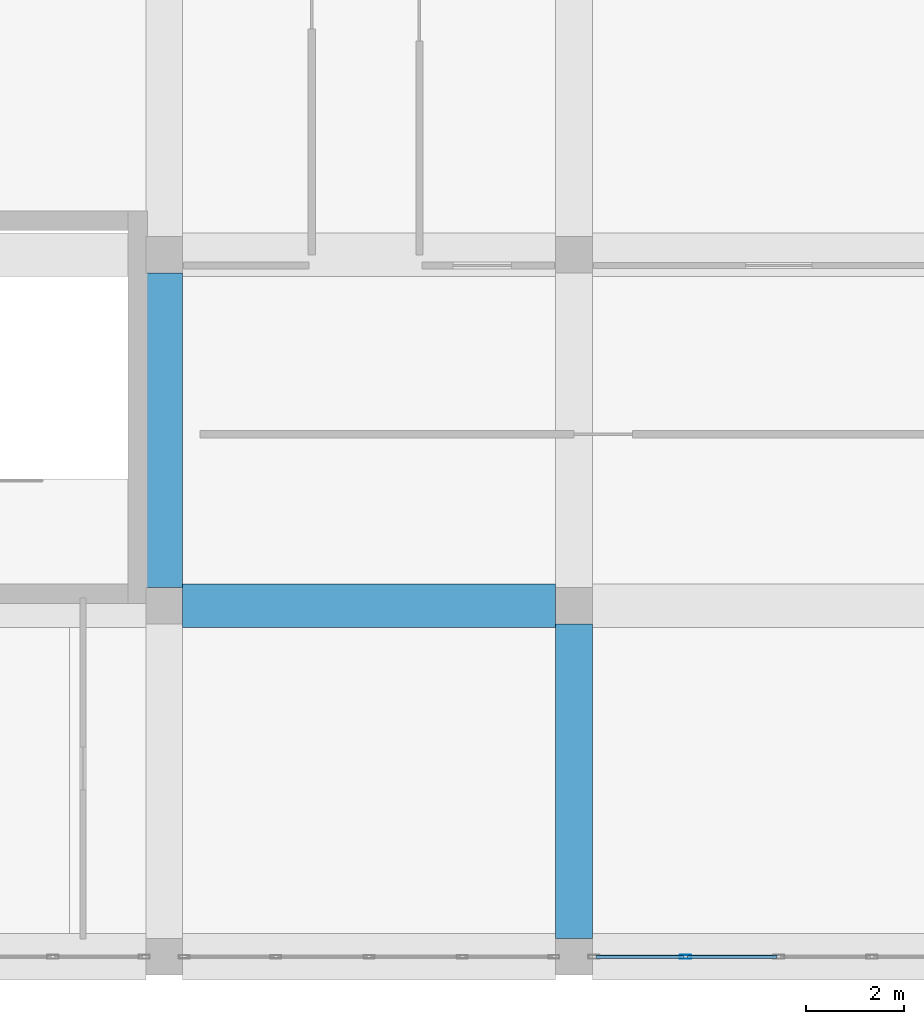
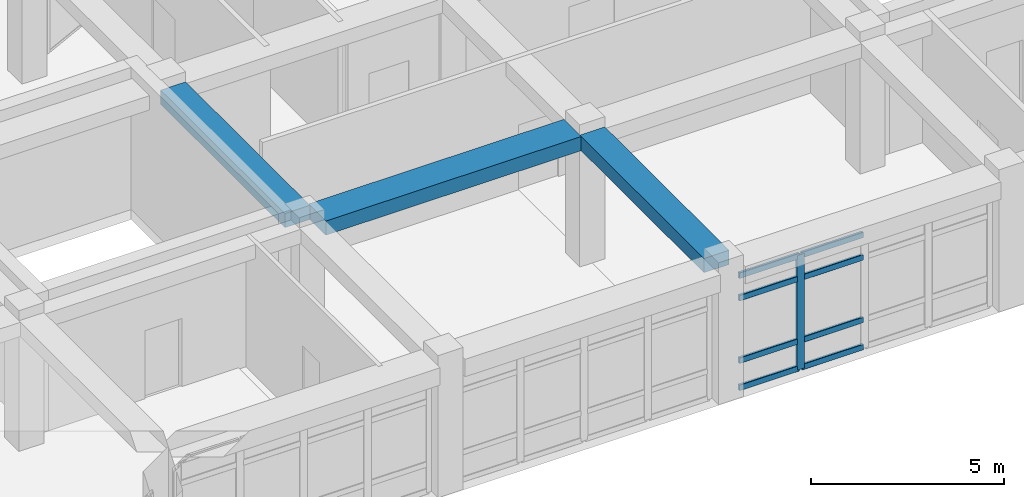
# One storey, part 18 of 121: 9 members, 3 beams, 1 element without a shape of its own.
"""IFC4 building model written with IfcOpenShell, lengths in metres."""

import ifcopenshell
import ifcopenshell.guid

model = None  # the IFC model being written
_history = None  # IfcOwnerHistory: only IFC2X3 demands one
_inside = {}  # id of a spatial element -> (the spatial element, [elements in it])
_under = {}  # id of a project, library or spatial element -> (it, [spatial elements below it])
_declared = {}  # id of a project -> (the project, [libraries it declares])
_typed = {}  # id of a type object -> (the type object, [elements of that type])
_made_of = {}  # id of a material, layer set ... -> (it, [elements and type objects made of it])


def new_model(schema):
    """Start an empty IFC model of exactly this schema.

    Asked for "IFC4X3", IfcOpenShell would pick the latest addendum, in which some entities
    have other attributes; the version numbers below select the first issue.
    IFC2X3 requires an IfcOwnerHistory on every rooted entity: one is made here for all.
    """
    global model, _history
    if schema == "IFC4X3":
        model = ifcopenshell.file(schema_version=(4, 3, 0, 0))
    else:
        model = ifcopenshell.file(schema=schema)
    _inside.clear()
    _under.clear()
    _declared.clear()
    _typed.clear()
    _made_of.clear()
    _history = None
    if model.schema == "IFC2X3":
        org = make("IfcOrganization", Name="unknown")
        user = make(
            "IfcPersonAndOrganization",
            ThePerson=make("IfcPerson", FamilyName="unknown"),
            TheOrganization=org,
        )
        app = make(
            "IfcApplication",
            ApplicationDeveloper=org,
            Version="unknown",
            ApplicationFullName="unknown",
            ApplicationIdentifier="unknown",
        )
        _history = make(
            "IfcOwnerHistory",
            OwningUser=user,
            OwningApplication=app,
            ChangeAction="ADDED",
            CreationDate=0,
        )
    return model


def make(cls, **values):
    """One entity of the class cls with the attributes given. An attribute that is None is left unset."""
    return model.create_entity(
        cls, **{name: value for name, value in values.items() if value is not None}
    )


def rooted(cls, **values):
    """An entity with a GlobalId (a new one), such as an element, a storey or a relation."""
    return make(cls, GlobalId=ifcopenshell.guid.new(), OwnerHistory=_history, **values)


def si_unit(unit_type, name, prefix=None):
    """IfcSIUnit, for example si_unit("LENGTHUNIT", "METRE", prefix="MILLI")."""
    return make("IfcSIUnit", UnitType=unit_type, Prefix=prefix, Name=name)


def derived_unit(unit_type, elements):
    """IfcDerivedUnit: a product of units, each with its exponent."""
    return make(
        "IfcDerivedUnit",
        Elements=[
            make("IfcDerivedUnitElement", Unit=unit, Exponent=power)
            for unit, power in elements
        ],
        UnitType=unit_type,
    )


def assignment(units):
    """IfcUnitAssignment: the units of a project."""
    return None if units is None else make("IfcUnitAssignment", Units=units)


def point(xyz):
    """IfcCartesianPoint."""
    return None if xyz is None else make("IfcCartesianPoint", Coordinates=xyz)


def direction(xyz):
    """IfcDirection."""
    return None if xyz is None else make("IfcDirection", DirectionRatios=xyz)


def frame(location, z_axis=None, x_axis=None):
    """IfcAxis2Placement3D, a coordinate frame: its origin and axes. An axis left out is left unset."""
    return make(
        "IfcAxis2Placement3D",
        Location=point(location),
        Axis=direction(z_axis),
        RefDirection=direction(x_axis),
    )


def frame_2d(location, x_axis=None):
    """IfcAxis2Placement2D, a coordinate frame in the plane: its origin and x axis."""
    return make(
        "IfcAxis2Placement2D", Location=point(location), RefDirection=direction(x_axis)
    )


def origin():
    """The frame at (0, 0, 0) with its axes left unset."""
    return frame((0.0, 0.0, 0.0))


def origin_2d():
    """The frame at (0, 0) in the plane with its x axis left unset."""
    return frame_2d((0.0, 0.0))


def place(relative_to, where):
    """IfcLocalPlacement: puts the frame where relative to a parent placement (None: the world)."""
    return make(
        "IfcLocalPlacement", PlacementRelTo=relative_to, RelativePlacement=where
    )


def context(
    kind, dimensions, precision=None, world=None, true_north=None, identifier=None
):
    """IfcGeometricRepresentationContext, for example the 3D "Model" context."""
    return make(
        "IfcGeometricRepresentationContext",
        ContextIdentifier=identifier,
        ContextType=kind,
        CoordinateSpaceDimension=dimensions,
        Precision=precision,
        WorldCoordinateSystem=world,
        TrueNorth=true_north,
    )


def subcontext(parent, identifier, kind, view, scale=None):
    """IfcGeometricRepresentationSubContext, for example "Body" below "Model"."""
    return make(
        "IfcGeometricRepresentationSubContext",
        ContextIdentifier=identifier,
        ContextType=kind,
        ParentContext=parent,
        TargetScale=scale,
        TargetView=view,
    )


def project(units=None, contexts=None):
    """IfcProject with its units and contexts."""
    return rooted(
        "IfcProject",
        Name="project",
        RepresentationContexts=contexts,
        UnitsInContext=assignment(units),
    )


def spatial(cls, under=None, at=None, **own):
    """A site, building, storey or space (cls), placed at a placement, below another one or the project."""
    s = rooted(cls, ObjectPlacement=at, **own)
    if under is not None:
        _under.setdefault(under.id(), (under, []))[1].append(s)
    return s


def profile(cls, at=None, kind="AREA", **sizes):
    """A parametric profile (cls). Its sizes go by their IFC names, for example OverallWidth=200.0."""
    return make(cls, ProfileType=kind, Position=at, **sizes)


def rectangle(**sizes):
    """IfcRectangleProfileDef."""
    return profile("IfcRectangleProfileDef", **sizes)


def hollow_rectangle(**sizes):
    """IfcRectangleHollowProfileDef."""
    return profile("IfcRectangleHollowProfileDef", **sizes)


def extrude(swept, where, along, depth):
    """IfcExtrudedAreaSolid: the profile swept, set in the frame where, extruded along a direction by depth."""
    return make(
        "IfcExtrudedAreaSolid",
        SweptArea=swept,
        Position=where,
        ExtrudedDirection=direction(along),
        Depth=depth,
    )


def shape(context_of_items, identifier, shape_type, items):
    """IfcShapeRepresentation: the items that make up one representation, for example the "Body"."""
    return make(
        "IfcShapeRepresentation",
        ContextOfItems=context_of_items,
        RepresentationIdentifier=identifier,
        RepresentationType=shape_type,
        Items=items,
    )


def material(Name=None, Category=None):
    """IfcMaterial."""
    return make("IfcMaterial", Name=Name, Category=Category)


def material_profile(
    of_material, cross_section, Name=None, Category=None, Priority=None
):
    """IfcMaterialProfile: a cross section and its material."""
    return make(
        "IfcMaterialProfile",
        Name=Name,
        Material=of_material,
        Profile=cross_section,
        Priority=Priority,
        Category=Category,
    )


def profile_set(profiles, Name=None, composite=None):
    """IfcMaterialProfileSet."""
    return make(
        "IfcMaterialProfileSet",
        Name=Name,
        MaterialProfiles=profiles,
        CompositeProfile=composite,
    )


def made_of(thing, what):
    """Note that an element or type object is made of a material, layer set ...; save() writes the relation."""
    if what is not None:
        _made_of.setdefault(what.id(), (what, []))[1].append(thing)
    return thing


def type_object(cls, material=None, **own):
    """A type object (cls), such as IfcWallType, which elements share."""
    return made_of(rooted(cls, **own), material)


def element(
    cls,
    number,
    at=None,
    inside=None,
    cuts=None,
    type_object=None,
    material=None,
    context=None,
    identifier="Body",
    shape_type=None,
    held_by="IfcProductDefinitionShape",
    body=None,
    shapes=None,
    **own,
):
    """One element of the class cls, such as IfcWall. Its Tag is "e" and its number.

    at: its placement. inside: the storey or other place that contains it. cuts: it is an
    opening in that element (IfcRelVoidsElement). A single representation is given by context,
    identifier, shape_type and body (its items); several are given by shapes. held_by: the class
    of the entity that holds the representations. save() writes the other relations.
    """
    e = rooted(cls, Tag="e%d" % number, ObjectPlacement=at, **own)
    if body is not None:
        shapes = [shape(context, identifier, shape_type, body)]
    if shapes is not None:
        e.Representation = make(held_by, Representations=shapes)
    if inside is not None:
        _inside.setdefault(inside.id(), (inside, []))[1].append(e)
    if cuts is not None:
        rooted(
            "IfcRelVoidsElement", RelatingBuildingElement=cuts, RelatedOpeningElement=e
        )
    if type_object is not None:
        _typed.setdefault(type_object.id(), (type_object, []))[1].append(e)
    return made_of(e, material)


def aggregate(whole, parts):
    """IfcRelAggregates: a whole, such as a stair, and the parts it consists of."""
    return rooted("IfcRelAggregates", RelatingObject=whole, RelatedObjects=parts)


def save(model, path):
    """Write the relations noted so far, then the file.

    IfcRelAggregates (storeys below a building ...), IfcRelContainedInSpatialStructure (elements
    in a storey), IfcRelDefinesByType, IfcRelAssociatesMaterial and IfcRelDeclares: one each for
    every whole, place, type object, material and project.
    """
    for whole, parts in _under.values():
        aggregate(whole, parts)
    for where, things in _inside.values():
        rooted(
            "IfcRelContainedInSpatialStructure",
            RelatedElements=things,
            RelatingStructure=where,
        )
    for kind, things in _typed.values():
        rooted("IfcRelDefinesByType", RelatedObjects=things, RelatingType=kind)
    for what, things in _made_of.values():
        rooted("IfcRelAssociatesMaterial", RelatedObjects=things, RelatingMaterial=what)
    for by, libraries in _declared.values():
        rooted("IfcRelDeclares", RelatingContext=by, RelatedDefinitions=libraries)
    model.write(path)


model = new_model("IFC4")

# Units and contexts
model_context = context("Model", 3, precision=1e-05, world=origin(), true_north=direction((0.0, 1.0)))
body_context = subcontext(model_context, "Body", "Model", "MODEL_VIEW")
ifc_project = project(units=[si_unit("LENGTHUNIT", "METRE"), si_unit("AREAUNIT", "SQUARE_METRE"), si_unit("VOLUMEUNIT", "CUBIC_METRE"), si_unit("PLANEANGLEUNIT", "RADIAN"), si_unit("MASSUNIT", "GRAM", prefix="KILO"), derived_unit("THERMALTRANSMITTANCEUNIT", [(si_unit("POWERUNIT", "WATT"), 1), (si_unit("LENGTHUNIT", "METRE"), -2), (si_unit("THERMODYNAMICTEMPERATUREUNIT", "KELVIN"), -1)])], contexts=[model_context])

# Site, building, storey
site_placement = place(None, origin())
site = spatial("IfcSite", under=ifc_project, at=site_placement, CompositionType="ELEMENT")
building_placement = place(site_placement, origin())
building = spatial("IfcBuilding", under=site, at=building_placement, Name="Veybourne Emporium", CompositionType="ELEMENT")
storey_placement = place(building_placement, frame((0.0, 0.0, 5.39990234375)))
storey = spatial("IfcBuildingStorey", under=building, at=storey_placement, Name="L01", CompositionType="ELEMENT", Elevation=5.39990234375)

# Curtain wall, members
ifc_material_1 = material(Name="Patinated Architectural Bronze", Category="bronze")
curtain_wall_type = type_object("IfcCurtainWallType", Name="CWSystem_CWS-19", PredefinedType="NOTDEFINED", material=ifc_material_1)
curtain_wall_placement = place(storey_placement, origin())
curtain_wall = element("IfcCurtainWall", 1, at=curtain_wall_placement, inside=storey, type_object=curtain_wall_type, Name="L01 bronze glazed curtain wall CWS-19 (046)", PredefinedType="NOTDEFINED")
ifc_material_profile_1 = material_profile(ifc_material_1, hollow_rectangle(XDim=0.077880859375, YDim=0.235107421875, WallThickness=0.0048828125, InnerFilletRadius=0.007568359375, OuterFilletRadius=0.012451171875, at=origin_2d()), Name="CWM 78x235x5")
ifc_profile_set_1 = profile_set([ifc_material_profile_1], Name="Patinated Architectural Bronze")
member_type_1 = type_object("IfcMemberType", Name="CWMullion_CW-M3", PredefinedType="MULLION", material=ifc_profile_set_1)
member_1_placement = place(storey_placement, frame((94.6875, 0.0, 0.0), z_axis=(0.0, 0.0, 1.0), x_axis=(0.0, -1.0, 0.0)))
member_1 = element("IfcMember", 2, at=member_1_placement, type_object=member_type_1, Name="CWS-19 mullion 4", PredefinedType="MULLION", context=body_context, shape_type="SweptSolid", body=[
    extrude(hollow_rectangle(XDim=0.077880859375, YDim=0.235107421875, WallThickness=0.0048828125, InnerFilletRadius=0.007568359375, OuterFilletRadius=0.012451171875, at=origin_2d()), origin(), (0.0, 0.0, 1.0), 3.630126953125),
])
ifc_material_profile_2 = material_profile(ifc_material_1, hollow_rectangle(XDim=0.077880859375, YDim=0.18505859375, WallThickness=0.0048828125, InnerFilletRadius=0.007568359375, OuterFilletRadius=0.012451171875, at=origin_2d()), Name="CWT 78x185x5")
ifc_profile_set_2 = profile_set([ifc_material_profile_2], Name="Patinated Architectural Bronze")
member_type_2 = type_object("IfcMemberType", Name="CWTransom_CW-T3", PredefinedType="NOTDEFINED", material=ifc_profile_set_2)
member_2_placement = place(storey_placement, frame((96.56103515625, 0.0, 0.0390625), z_axis=(-1.0, 0.0, 0.0), x_axis=(0.0, -1.0, 0.0)))
member_2 = element("IfcMember", 3, at=member_2_placement, type_object=member_type_2, Name="CWS-19 transom 3.1", ObjectType="TRANSOM", PredefinedType="USERDEFINED", context=body_context, shape_type="SweptSolid", body=[
    extrude(hollow_rectangle(XDim=0.077880859375, YDim=0.18505859375, WallThickness=0.0048828125, InnerFilletRadius=0.007568359375, OuterFilletRadius=0.012451171875, at=origin_2d()), origin(), (0.0, 0.0, 1.0), 1.83447265625),
])
member_3_placement = place(storey_placement, frame((96.56103515625, 0.0, 0.900146484375), z_axis=(-1.0, 0.0, 0.0), x_axis=(0.0, -1.0, 0.0)))
member_3 = element("IfcMember", 4, at=member_3_placement, type_object=member_type_2, Name="CWS-19 transom 3.2", ObjectType="TRANSOM", PredefinedType="USERDEFINED", context=body_context, shape_type="SweptSolid", body=[
    extrude(hollow_rectangle(XDim=0.077880859375, YDim=0.18505859375, WallThickness=0.0048828125, InnerFilletRadius=0.007568359375, OuterFilletRadius=0.012451171875, at=origin_2d()), origin(), (0.0, 0.0, 1.0), 1.83447265625),
])
member_4_placement = place(storey_placement, frame((96.56103515625, 0.0, 2.880126953125), z_axis=(-1.0, 0.0, 0.0), x_axis=(0.0, -1.0, 0.0)))
member_4 = element("IfcMember", 5, at=member_4_placement, type_object=member_type_2, Name="CWS-19 transom 3.3", ObjectType="TRANSOM", PredefinedType="USERDEFINED", context=body_context, shape_type="SweptSolid", body=[
    extrude(hollow_rectangle(XDim=0.077880859375, YDim=0.18505859375, WallThickness=0.0048828125, InnerFilletRadius=0.007568359375, OuterFilletRadius=0.012451171875, at=origin_2d()), origin(), (0.0, 0.0, 1.0), 1.83447265625),
])
member_5_placement = place(storey_placement, frame((96.56103515625, 0.0, 3.591064453125), z_axis=(-1.0, 0.0, 0.0), x_axis=(0.0, -1.0, 0.0)))
member_5 = element("IfcMember", 6, at=member_5_placement, type_object=member_type_2, Name="CWS-19 transom 3.4", ObjectType="TRANSOM", PredefinedType="USERDEFINED", context=body_context, shape_type="SweptSolid", body=[
    extrude(hollow_rectangle(XDim=0.077880859375, YDim=0.18505859375, WallThickness=0.0048828125, InnerFilletRadius=0.007568359375, OuterFilletRadius=0.012451171875, at=origin_2d()), origin(), (0.0, 0.0, 1.0), 1.83447265625),
])
member_6_placement = place(storey_placement, frame((94.6484375, 0.0, 0.0390625), z_axis=(-1.0, 0.0, 0.0), x_axis=(0.0, -1.0, 0.0)))
member_6 = element("IfcMember", 7, at=member_6_placement, type_object=member_type_2, Name="CWS-19 transom 4.1", ObjectType="TRANSOM", PredefinedType="USERDEFINED", context=body_context, shape_type="SweptSolid", body=[
    extrude(hollow_rectangle(XDim=0.077880859375, YDim=0.18505859375, WallThickness=0.0048828125, InnerFilletRadius=0.007568359375, OuterFilletRadius=0.012451171875, at=origin_2d()), origin(), (0.0, 0.0, 1.0), 1.79541015625),
])
member_7_placement = place(storey_placement, frame((94.6484375, 0.0, 0.900146484375), z_axis=(-1.0, 0.0, 0.0), x_axis=(0.0, -1.0, 0.0)))
member_7 = element("IfcMember", 8, at=member_7_placement, type_object=member_type_2, Name="CWS-19 transom 4.2", ObjectType="TRANSOM", PredefinedType="USERDEFINED", context=body_context, shape_type="SweptSolid", body=[
    extrude(hollow_rectangle(XDim=0.077880859375, YDim=0.18505859375, WallThickness=0.0048828125, InnerFilletRadius=0.007568359375, OuterFilletRadius=0.012451171875, at=origin_2d()), origin(), (0.0, 0.0, 1.0), 1.79541015625),
])
member_8_placement = place(storey_placement, frame((94.6484375, 0.0, 2.880126953125), z_axis=(-1.0, 0.0, 0.0), x_axis=(0.0, -1.0, 0.0)))
member_8 = element("IfcMember", 9, at=member_8_placement, type_object=member_type_2, Name="CWS-19 transom 4.3", ObjectType="TRANSOM", PredefinedType="USERDEFINED", context=body_context, shape_type="SweptSolid", body=[
    extrude(hollow_rectangle(XDim=0.077880859375, YDim=0.18505859375, WallThickness=0.0048828125, InnerFilletRadius=0.007568359375, OuterFilletRadius=0.012451171875, at=origin_2d()), origin(), (0.0, 0.0, 1.0), 1.79541015625),
])
member_9_placement = place(storey_placement, frame((94.6484375, 0.0, 3.591064453125), z_axis=(-1.0, 0.0, 0.0), x_axis=(0.0, -1.0, 0.0)))
member_9 = element("IfcMember", 10, at=member_9_placement, type_object=member_type_2, Name="CWS-19 transom 4.4", ObjectType="TRANSOM", PredefinedType="USERDEFINED", context=body_context, shape_type="SweptSolid", body=[
    extrude(hollow_rectangle(XDim=0.077880859375, YDim=0.18505859375, WallThickness=0.0048828125, InnerFilletRadius=0.007568359375, OuterFilletRadius=0.012451171875, at=origin_2d()), origin(), (0.0, 0.0, 1.0), 1.79541015625),
])
aggregate(curtain_wall, [member_1, member_2, member_3, member_4, member_5, member_6, member_7, member_8, member_9])

# Beams
ifc_material_2 = material(Name="Concrete C32/40", Category="concrete")
ifc_material_profile_3 = material_profile(ifc_material_2, rectangle(XDim=0.89990234375, YDim=0.449951171875, at=origin_2d()), Name="RC 900x450")
ifc_profile_set_3 = profile_set([ifc_material_profile_3], Name="Concrete C32/40")
beam_type_1 = type_object("IfcBeamType", Name="RCBeam_BB-03", PredefinedType="BEAM", material=ifc_profile_set_3)
beam_placement = place(storey_placement, frame((84.375, 7.199951171875, 3.955078125), z_axis=(1.0, 0.0, 0.0), x_axis=(0.0, 1.0, 0.0)))
element("IfcBeam", 11, at=beam_placement, inside=storey, type_object=beam_type_1, Name="L01 X-grid beam BB-03 (10,1)", PredefinedType="BEAM", context=body_context, shape_type="SweptSolid", body=[
    extrude(rectangle(XDim=0.89990234375, YDim=0.449951171875, at=origin_2d()), origin(), (0.0, 0.0, 1.0), 7.64990234375),
])
ifc_material_profile_4 = material_profile(ifc_material_2, rectangle(XDim=0.75, YDim=0.449951171875, at=origin_2d()), Name="RC 750x450")
ifc_profile_set_4 = profile_set([ifc_material_profile_4], Name="Concrete C32/40")
beam_type_2 = type_object("IfcBeamType", Name="RCBeam_BB-04", PredefinedType="BEAM", material=ifc_profile_set_4)
for number, where, z_axis, x_axis, name in (
    (12, (84.0, 7.574951171875, 3.955078125), (0.0, 1.0, 0.0), (-1.0, 0.0, 0.0), "L01 Y-grid beam BB-04 (10,1)"),
    (13, (92.39990234375, 0.375, 3.955078125), (0.0, 1.0, 0.0), (-1.0, 0.0, 0.0), "L01 Y-grid beam BB-04 (11,0)"),
):
    element("IfcBeam", number, at=place(storey_placement, frame(where, z_axis=z_axis, x_axis=x_axis)), inside=storey, type_object=beam_type_2, Name=name, PredefinedType="BEAM", context=body_context, shape_type="SweptSolid", body=[
        extrude(rectangle(XDim=0.75, YDim=0.449951171875, at=origin_2d()), origin(), (0.0, 0.0, 1.0), 6.449951171875),
    ])

save(model, "model.ifc")
